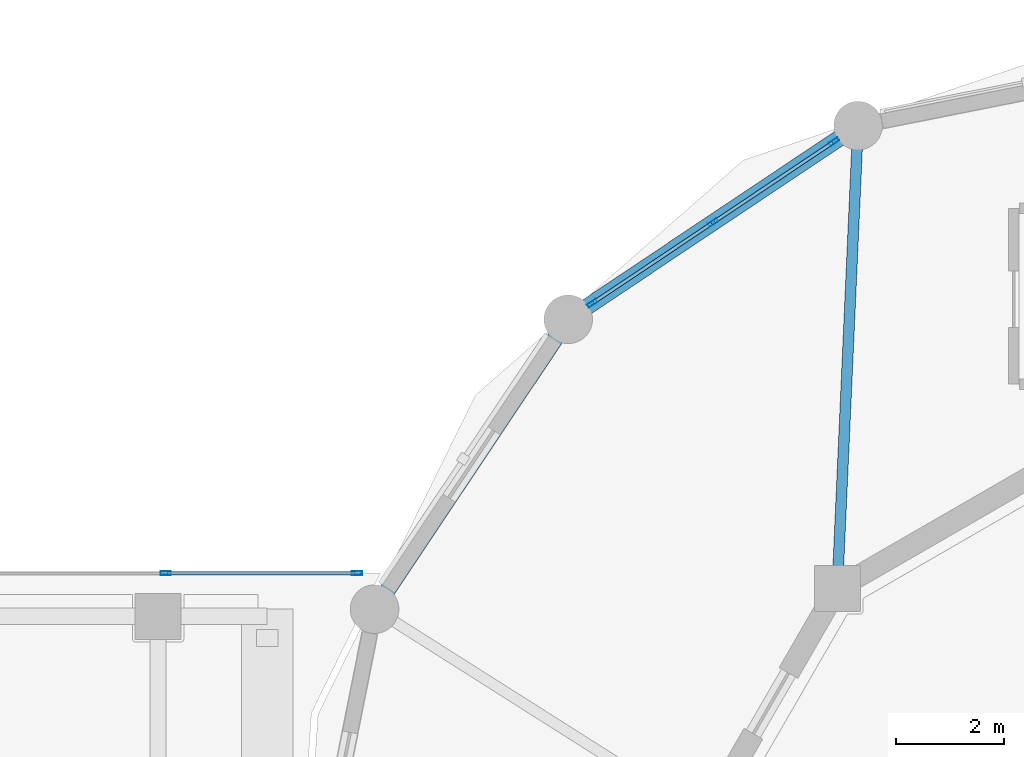
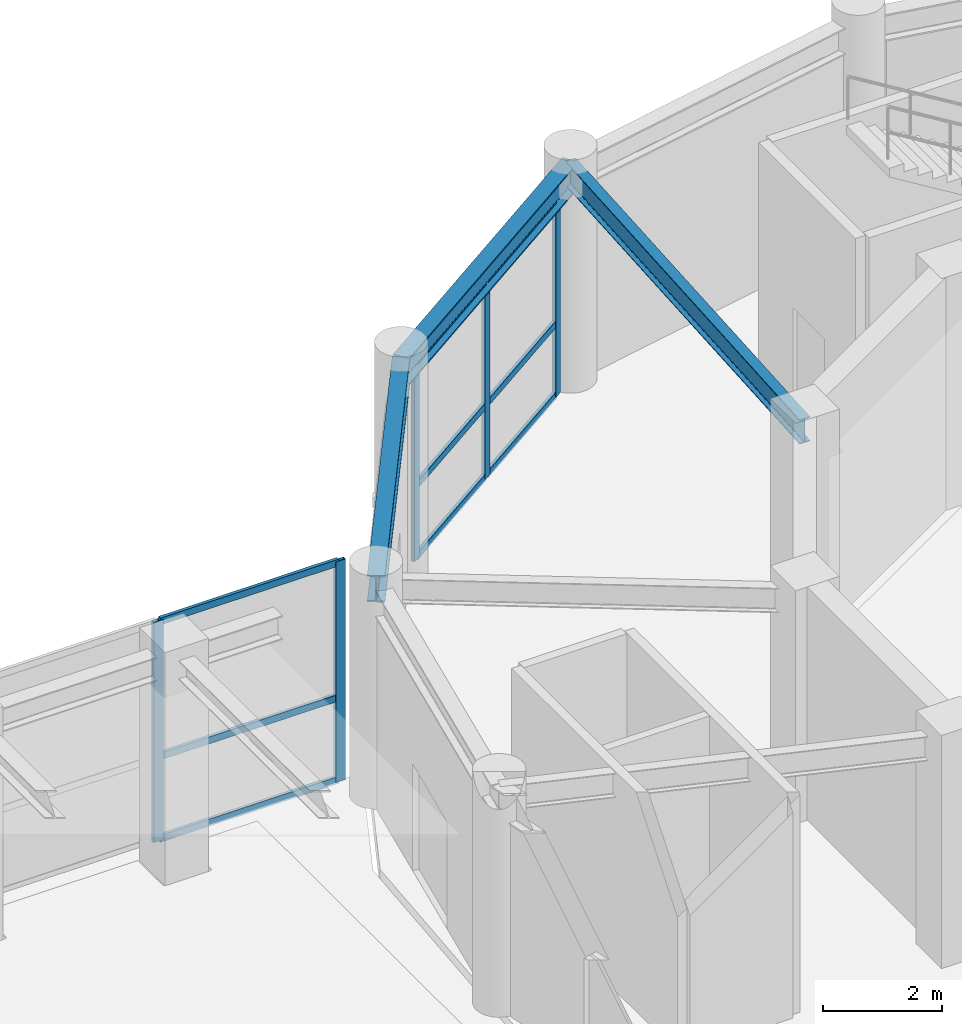
# One storey, part 27 of 48: 14 members, 3 beams, 2 elements without a shape of their own.
"""IFC4 building model written with IfcOpenShell, lengths in metres."""

from ifc_helpers import new_model, si_unit, derived_unit, direction, frame, origin, origin_2d, place, context, subcontext, project, spatial, hollow_rectangle, i_section, extrude, source, transform, mapped, material, layer, layer_set, material_profile, profile_set, type_object, element, aggregate, save


model = new_model("IFC4")

# Units and contexts
model_context = context("Model", 3, precision=1e-05, world=origin(), true_north=direction((0.0, 1.0)))
body_context = subcontext(model_context, "Body", "Model", "MODEL_VIEW")
ifc_project = project(units=[si_unit("LENGTHUNIT", "METRE"), si_unit("AREAUNIT", "SQUARE_METRE"), si_unit("VOLUMEUNIT", "CUBIC_METRE"), si_unit("PLANEANGLEUNIT", "RADIAN"), si_unit("MASSUNIT", "GRAM", prefix="KILO"), derived_unit("THERMALTRANSMITTANCEUNIT", [(si_unit("POWERUNIT", "WATT"), 1), (si_unit("LENGTHUNIT", "METRE"), -2), (si_unit("THERMODYNAMICTEMPERATUREUNIT", "KELVIN"), -1)])], contexts=[model_context])

# Site, building, storey
site_placement = place(None, origin())
site = spatial("IfcSite", under=ifc_project, at=site_placement, CompositionType="ELEMENT")
building_placement = place(site_placement, origin())
building = spatial("IfcBuilding", under=site, at=building_placement, Name="Korsvarv Bourse and Concert Hall", CompositionType="ELEMENT")
storey_placement = place(building_placement, frame((0.0, 0.0, 4.800048828125)))
storey = spatial("IfcBuildingStorey", under=building, at=storey_placement, Name="L01", CompositionType="ELEMENT", Elevation=4.800048828125)

# Beams
ifc_material_1 = material(Name="Steel S355", Category="steel")
ifc_material_profile_1 = material_profile(ifc_material_1, i_section(OverallWidth=0.300048828125, OverallDepth=0.550048828125, WebThickness=0.014892578125, FlangeThickness=0.029052734375, FilletRadius=0.02392578125, at=origin_2d()), Name="HEB 550")
ifc_profile_set_1 = profile_set([ifc_material_profile_1], Name="Steel S355")
beam_type_1 = type_object("IfcBeamType", Name="BM-HEB550", PredefinedType="BEAM", material=ifc_profile_set_1)
shared_shape_1 = source(origin(), body_context, "Body", "SweptSolid", [
    extrude(i_section(OverallWidth=0.300048828125, OverallDepth=0.550048828125, WebThickness=0.014892578125, FlangeThickness=0.029052734375, FilletRadius=0.02392578125, at=origin_2d()), origin(), (0.0, 0.0, 1.0), 6.45751953125),
])
for number, where, z_axis, x_axis, name in (
    (1, (100.466552734375, 51.290283203125, 4.224853515625), (-0.83146235745, -0.55558109052, 0.0), (0.55558109052, -0.83146235745, 0.0), "L01 beam B-06"),
    (2, (95.097412109375, 47.70263671875, 4.224853515625), (-0.55558109052, -0.83146235745, 0.0), (0.83146235745, -0.55558109052, 0.0), "L01 beam B-06"),
):
    element("IfcBeam", number, at=place(storey_placement, frame(where, z_axis=z_axis, x_axis=x_axis)), inside=storey, type_object=beam_type_1, Name=name, PredefinedType="BEAM", context=body_context, shape_type="MappedRepresentation", body=[
        mapped(shared_shape_1, transform((0.0, 0.0, 0.0), scale=1.0)),
    ])
ifc_material_profile_2 = material_profile(ifc_material_1, i_section(OverallWidth=0.199951171875, OverallDepth=0.5, WebThickness=0.01025390625, FlangeThickness=0.01611328125, FilletRadius=0.02099609375, at=origin_2d()), Name="IPE 500")
ifc_profile_set_2 = profile_set([ifc_material_profile_2], Name="Steel S355")
beam_type_2 = type_object("IfcBeamType", Name="BM-IPE500", PredefinedType="JOIST", material=ifc_profile_set_2)
shared_shape_2 = source(origin(), body_context, "Body", "SweptSolid", [
    extrude(i_section(OverallWidth=0.199951171875, OverallDepth=0.5, WebThickness=0.01025390625, FlangeThickness=0.01611328125, FilletRadius=0.02099609375, at=origin_2d()), origin(), (0.0, 0.0, 1.0), 8.581298828125),
])
beam_placement = place(storey_placement, frame((100.08251953125, 42.717529296875, 4.25), z_axis=(0.044752066119, 0.998998124412, 0.0), x_axis=(-0.998998124412, 0.044752066119, 0.0)))
element("IfcBeam", 3, at=beam_placement, inside=storey, type_object=beam_type_2, Name="L01 beam J-03", PredefinedType="JOIST", context=body_context, shape_type="MappedRepresentation", body=[
    mapped(shared_shape_2, transform((0.0, 0.0, 0.0), scale=1.0)),
])

# Curtain wall, members
ifc_material_2 = material(Name="Anodised aluminium and triple low-E glazing", Category="glass")
ifc_layer_1 = layer(ifc_material_2, 0.239990234375)
ifc_layer_set_1 = layer_set([ifc_layer_1], Name="Anodised aluminium and triple low-E glazing")
curtain_wall_type_1 = type_object("IfcCurtainWallType", Name="CW-SYS-5", PredefinedType="NOTDEFINED", material=ifc_layer_set_1)
curtain_wall_1_placement = place(storey_placement, origin())
curtain_wall_1 = element("IfcCurtainWall", 4, at=curtain_wall_1_placement, inside=storey, type_object=curtain_wall_type_1, Name="L01 CW5 curtain wall CW-L01-LKN", PredefinedType="NOTDEFINED")
ifc_material_3 = material(Name="Extruded aluminium EN AW-6063 T66", Category="aluminium")
ifc_material_profile_3 = material_profile(ifc_material_3, hollow_rectangle(XDim=0.070068359375, YDim=0.18994140625, WallThickness=0.0048828125, at=origin_2d()), Name="ALU-M 70x190")
ifc_profile_set_3 = profile_set([ifc_material_profile_3], Name="Extruded aluminium EN AW-6063 T66")
member_type_1 = type_object("IfcMemberType", Name="CWM-190", PredefinedType="MULLION", material=ifc_profile_set_3)
shared_shape_3 = source(origin(), body_context, "Body", "SweptSolid", [
    extrude(hollow_rectangle(XDim=0.070068359375, YDim=0.18994140625, WallThickness=0.0048828125, at=origin_2d()), origin(), (0.0, 0.0, 1.0), 4.5400390625),
])
member_1_placement = place(storey_placement, frame((87.639892578125, 43.0, 0.0), z_axis=(0.0, 0.0, 1.0), x_axis=(0.0, 1.0, 0.0)))
member_1 = element("IfcMember", 5, at=member_1_placement, type_object=member_type_1, Name="CW5 mullion 7", PredefinedType="MULLION", context=body_context, shape_type="MappedRepresentation", body=[
    mapped(shared_shape_3, transform((0.0, 0.0, 0.0), scale=1.0)),
])
member_2_placement = place(storey_placement, frame((91.18505859375, 43.0, 0.0), z_axis=(0.0, 0.0, 1.0), x_axis=(0.0, 1.0, 0.0)))
member_2 = element("IfcMember", 6, at=member_2_placement, type_object=member_type_1, Name="CW5 mullion 8", PredefinedType="MULLION", context=body_context, shape_type="MappedRepresentation", body=[
    mapped(shared_shape_3, transform((0.0, 0.0, 0.0), scale=1.0)),
])
ifc_material_profile_4 = material_profile(ifc_material_3, hollow_rectangle(XDim=0.06494140625, YDim=0.139892578125, WallThickness=0.00390625, at=origin_2d()), Name="ALU-T 65x140")
ifc_profile_set_4 = profile_set([ifc_material_profile_4], Name="Extruded aluminium EN AW-6063 T66")
member_type_2 = type_object("IfcMemberType", Name="CWT-140", PredefinedType="USERDEFINED", material=ifc_profile_set_4)
shared_shape_4 = source(origin(), body_context, "Body", "SweptSolid", [
    extrude(hollow_rectangle(XDim=0.06494140625, YDim=0.139892578125, WallThickness=0.00390625, at=origin_2d()), origin(), (0.0, 0.0, 1.0), 3.474853515625),
])
member_3_placement = place(storey_placement, frame((87.675048828125, 43.0, 0.032470703125), z_axis=(1.0, 0.0, 0.0), x_axis=(0.0, 1.0, 0.0)))
member_3 = element("IfcMember", 7, at=member_3_placement, type_object=member_type_2, Name="CW5 transom 7.1", ObjectType="TRANSOM", PredefinedType="USERDEFINED", context=body_context, shape_type="MappedRepresentation", body=[
    mapped(shared_shape_4, transform((0.0, 0.0, 0.0), scale=1.0)),
])
member_4_placement = place(storey_placement, frame((87.675048828125, 43.0, 1.72509765625), z_axis=(1.0, 0.0, 0.0), x_axis=(0.0, 1.0, 0.0)))
member_4 = element("IfcMember", 8, at=member_4_placement, type_object=member_type_2, Name="CW5 transom 7.2", ObjectType="TRANSOM", PredefinedType="USERDEFINED", context=body_context, shape_type="MappedRepresentation", body=[
    mapped(shared_shape_4, transform((0.0, 0.0, 0.0), scale=1.0)),
])
member_5_placement = place(storey_placement, frame((87.675048828125, 43.0, 4.507568359375), z_axis=(1.0, 0.0, 0.0), x_axis=(0.0, 1.0, 0.0)))
member_5 = element("IfcMember", 9, at=member_5_placement, type_object=member_type_2, Name="CW5 transom 7.3", ObjectType="TRANSOM", PredefinedType="USERDEFINED", context=body_context, shape_type="MappedRepresentation", body=[
    mapped(shared_shape_4, transform((0.0, 0.0, 0.0), scale=1.0)),
])
aggregate(curtain_wall_1, [member_1, member_2, member_3, member_4, member_5])

ifc_layer_2 = layer(ifc_material_2, 0.22998046875)
ifc_layer_set_2 = layer_set([ifc_layer_2], Name="Anodised aluminium and triple low-E glazing")
curtain_wall_type_2 = type_object("IfcCurtainWallType", Name="CW-SYS-6", PredefinedType="NOTDEFINED", material=ifc_layer_set_2)
curtain_wall_2_placement = place(storey_placement, origin())
curtain_wall_2 = element("IfcCurtainWall", 10, at=curtain_wall_2_placement, inside=storey, type_object=curtain_wall_type_2, Name="L01 CW6 curtain wall CW-L01-CH06", PredefinedType="NOTDEFINED")
shared_shape_5 = source(origin(), body_context, "Body", "SweptSolid", [
    extrude(hollow_rectangle(XDim=0.06494140625, YDim=0.139892578125, WallThickness=0.00390625, at=origin_2d()), origin(), (0.0, 0.0, 1.0), 2.62353515625),
])
member_6_placement = place(storey_placement, frame((99.992431640625, 50.973388671875, 0.032470703125), z_axis=(-0.831477183587, -0.555558901624, 0.0), x_axis=(0.555558901624, -0.831477183587, 0.0)))
member_6 = element("IfcMember", 11, at=member_6_placement, type_object=member_type_2, Name="CW6 transom 1.1", ObjectType="TRANSOM", PredefinedType="USERDEFINED", context=body_context, shape_type="MappedRepresentation", body=[
    mapped(shared_shape_5, transform((0.0, 0.0, 0.0), scale=1.0)),
])
member_7_placement = place(storey_placement, frame((99.992431640625, 50.973388671875, 1.5009765625), z_axis=(-0.831477183587, -0.555558901624, 0.0), x_axis=(0.555558901624, -0.831477183587, 0.0)))
member_7 = element("IfcMember", 12, at=member_7_placement, type_object=member_type_2, Name="CW6 transom 1.2", ObjectType="TRANSOM", PredefinedType="USERDEFINED", context=body_context, shape_type="MappedRepresentation", body=[
    mapped(shared_shape_5, transform((0.0, 0.0, 0.0), scale=1.0)),
])
member_8_placement = place(storey_placement, frame((99.992431640625, 50.973388671875, 3.91748046875), z_axis=(-0.831477183587, -0.555558901624, 0.0), x_axis=(0.555558901624, -0.831477183587, 0.0)))
member_8 = element("IfcMember", 13, at=member_8_placement, type_object=member_type_2, Name="CW6 transom 1.3", ObjectType="TRANSOM", PredefinedType="USERDEFINED", context=body_context, shape_type="MappedRepresentation", body=[
    mapped(shared_shape_5, transform((0.0, 0.0, 0.0), scale=1.0)),
])
member_9_placement = place(storey_placement, frame((97.7529296875, 49.47705078125, 0.032470703125), z_axis=(-0.831434196411, -0.55562323299, 0.0), x_axis=(0.55562323299, -0.831434196411, 0.0)))
member_9 = element("IfcMember", 14, at=member_9_placement, type_object=member_type_2, Name="CW6 transom 2.1", ObjectType="TRANSOM", PredefinedType="USERDEFINED", context=body_context, shape_type="MappedRepresentation", body=[
    mapped(shared_shape_5, transform((0.0, 0.0, 0.0), scale=1.0)),
])
member_10_placement = place(storey_placement, frame((97.7529296875, 49.47705078125, 1.5009765625), z_axis=(-0.831434196411, -0.55562323299, 0.0), x_axis=(0.55562323299, -0.831434196411, 0.0)))
member_10 = element("IfcMember", 15, at=member_10_placement, type_object=member_type_2, Name="CW6 transom 2.2", ObjectType="TRANSOM", PredefinedType="USERDEFINED", context=body_context, shape_type="MappedRepresentation", body=[
    mapped(shared_shape_5, transform((0.0, 0.0, 0.0), scale=1.0)),
])
member_11_placement = place(storey_placement, frame((97.7529296875, 49.47705078125, 3.91748046875), z_axis=(-0.831434196411, -0.55562323299, 0.0), x_axis=(0.55562323299, -0.831434196411, 0.0)))
member_11 = element("IfcMember", 16, at=member_11_placement, type_object=member_type_2, Name="CW6 transom 2.3", ObjectType="TRANSOM", PredefinedType="USERDEFINED", context=body_context, shape_type="MappedRepresentation", body=[
    mapped(shared_shape_5, transform((0.0, 0.0, 0.0), scale=1.0)),
])
shared_shape_6 = source(origin(), body_context, "Body", "SweptSolid", [
    extrude(hollow_rectangle(XDim=0.070068359375, YDim=0.18994140625, WallThickness=0.0048828125, at=origin_2d()), origin(), (0.0, 0.0, 1.0), 3.949951171875),
])
member_12_placement = place(storey_placement, frame((100.021484375, 50.992919921875, 0.0), z_axis=(0.0, 0.0, 1.0), x_axis=(0.555571024599, -0.831469083386, 0.0)))
member_12 = element("IfcMember", 17, at=member_12_placement, type_object=member_type_1, Name="CW6 mullion 1", PredefinedType="MULLION", context=body_context, shape_type="MappedRepresentation", body=[
    mapped(shared_shape_6, transform((0.0, 0.0, 0.0), scale=1.0)),
])
member_13_placement = place(storey_placement, frame((97.781982421875, 49.496337890625, 0.0), z_axis=(0.0, 0.0, 1.0), x_axis=(0.555571024599, -0.831469083386, 0.0)))
member_13 = element("IfcMember", 18, at=member_13_placement, type_object=member_type_1, Name="CW6 mullion 2", PredefinedType="MULLION", context=body_context, shape_type="MappedRepresentation", body=[
    mapped(shared_shape_6, transform((0.0, 0.0, 0.0), scale=1.0)),
])
member_14_placement = place(storey_placement, frame((95.54248046875, 48.0, 0.0), z_axis=(0.0, 0.0, 1.0), x_axis=(0.555571024599, -0.831469083386, 0.0)))
member_14 = element("IfcMember", 19, at=member_14_placement, type_object=member_type_1, Name="CW6 mullion 3", PredefinedType="MULLION", context=body_context, shape_type="MappedRepresentation", body=[
    mapped(shared_shape_6, transform((0.0, 0.0, 0.0), scale=1.0)),
])
aggregate(curtain_wall_2, [member_12, member_13, member_14, member_6, member_7, member_8, member_9, member_10, member_11])

save(model, "model.ifc")
